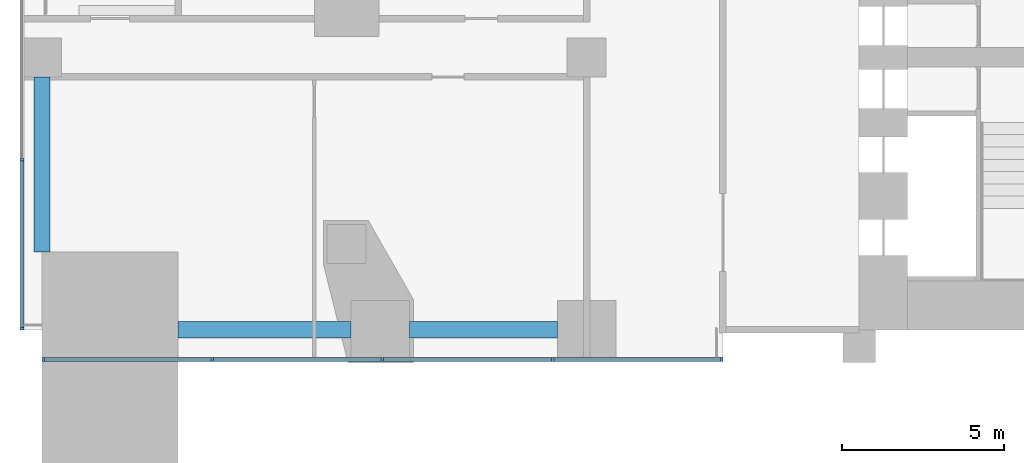
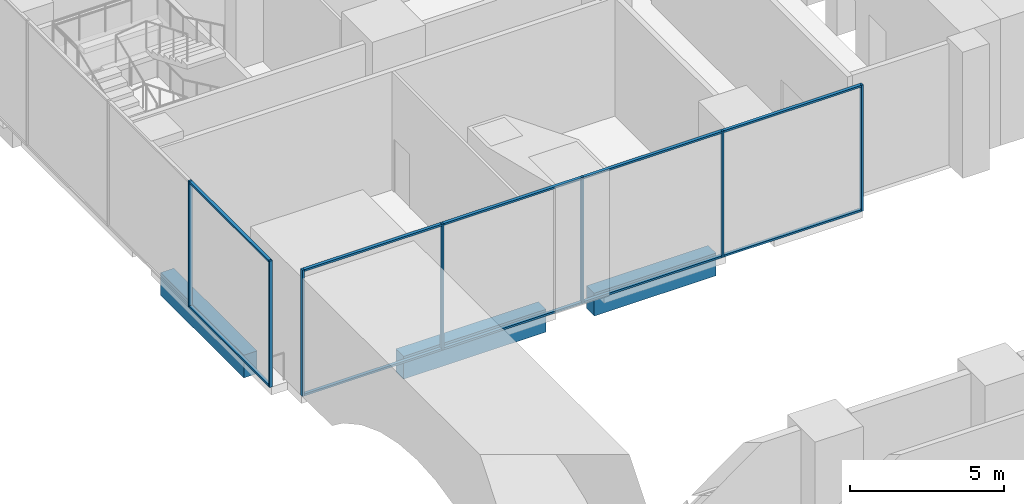
# One storey, part 3 of 28: 17 members, 3 beams, 2 elements without a shape of their own.
"""IFC4 building model written with IfcOpenShell, lengths in metres."""

import ifcopenshell
import ifcopenshell.guid

model = None  # the IFC model being written
_history = None  # IfcOwnerHistory: only IFC2X3 demands one
_inside = {}  # id of a spatial element -> (the spatial element, [elements in it])
_under = {}  # id of a project, library or spatial element -> (it, [spatial elements below it])
_declared = {}  # id of a project -> (the project, [libraries it declares])
_typed = {}  # id of a type object -> (the type object, [elements of that type])
_made_of = {}  # id of a material, layer set ... -> (it, [elements and type objects made of it])


def new_model(schema):
    """Start an empty IFC model of exactly this schema.

    Asked for "IFC4X3", IfcOpenShell would pick the latest addendum, in which some entities
    have other attributes; the version numbers below select the first issue.
    IFC2X3 requires an IfcOwnerHistory on every rooted entity: one is made here for all.
    """
    global model, _history
    if schema == "IFC4X3":
        model = ifcopenshell.file(schema_version=(4, 3, 0, 0))
    else:
        model = ifcopenshell.file(schema=schema)
    _inside.clear()
    _under.clear()
    _declared.clear()
    _typed.clear()
    _made_of.clear()
    _history = None
    if model.schema == "IFC2X3":
        org = make("IfcOrganization", Name="unknown")
        user = make(
            "IfcPersonAndOrganization",
            ThePerson=make("IfcPerson", FamilyName="unknown"),
            TheOrganization=org,
        )
        app = make(
            "IfcApplication",
            ApplicationDeveloper=org,
            Version="unknown",
            ApplicationFullName="unknown",
            ApplicationIdentifier="unknown",
        )
        _history = make(
            "IfcOwnerHistory",
            OwningUser=user,
            OwningApplication=app,
            ChangeAction="ADDED",
            CreationDate=0,
        )
    return model


def make(cls, **values):
    """One entity of the class cls with the attributes given. An attribute that is None is left unset."""
    return model.create_entity(
        cls, **{name: value for name, value in values.items() if value is not None}
    )


def rooted(cls, **values):
    """An entity with a GlobalId (a new one), such as an element, a storey or a relation."""
    return make(cls, GlobalId=ifcopenshell.guid.new(), OwnerHistory=_history, **values)


def si_unit(unit_type, name, prefix=None):
    """IfcSIUnit, for example si_unit("LENGTHUNIT", "METRE", prefix="MILLI")."""
    return make("IfcSIUnit", UnitType=unit_type, Prefix=prefix, Name=name)


def assignment(units):
    """IfcUnitAssignment: the units of a project."""
    return None if units is None else make("IfcUnitAssignment", Units=units)


def point(xyz):
    """IfcCartesianPoint."""
    return None if xyz is None else make("IfcCartesianPoint", Coordinates=xyz)


def direction(xyz):
    """IfcDirection."""
    return None if xyz is None else make("IfcDirection", DirectionRatios=xyz)


def frame(location, z_axis=None, x_axis=None):
    """IfcAxis2Placement3D, a coordinate frame: its origin and axes. An axis left out is left unset."""
    return make(
        "IfcAxis2Placement3D",
        Location=point(location),
        Axis=direction(z_axis),
        RefDirection=direction(x_axis),
    )


def frame_2d(location, x_axis=None):
    """IfcAxis2Placement2D, a coordinate frame in the plane: its origin and x axis."""
    return make(
        "IfcAxis2Placement2D", Location=point(location), RefDirection=direction(x_axis)
    )


def origin():
    """The frame at (0, 0, 0) with its axes left unset."""
    return frame((0.0, 0.0, 0.0))


def origin_2d():
    """The frame at (0, 0) in the plane with its x axis left unset."""
    return frame_2d((0.0, 0.0))


def place(relative_to, where):
    """IfcLocalPlacement: puts the frame where relative to a parent placement (None: the world)."""
    return make(
        "IfcLocalPlacement", PlacementRelTo=relative_to, RelativePlacement=where
    )


def context(
    kind, dimensions, precision=None, world=None, true_north=None, identifier=None
):
    """IfcGeometricRepresentationContext, for example the 3D "Model" context."""
    return make(
        "IfcGeometricRepresentationContext",
        ContextIdentifier=identifier,
        ContextType=kind,
        CoordinateSpaceDimension=dimensions,
        Precision=precision,
        WorldCoordinateSystem=world,
        TrueNorth=true_north,
    )


def subcontext(parent, identifier, kind, view, scale=None):
    """IfcGeometricRepresentationSubContext, for example "Body" below "Model"."""
    return make(
        "IfcGeometricRepresentationSubContext",
        ContextIdentifier=identifier,
        ContextType=kind,
        ParentContext=parent,
        TargetScale=scale,
        TargetView=view,
    )


def project(units=None, contexts=None):
    """IfcProject with its units and contexts."""
    return rooted(
        "IfcProject",
        Name="project",
        RepresentationContexts=contexts,
        UnitsInContext=assignment(units),
    )


def spatial(cls, under=None, at=None, **own):
    """A site, building, storey or space (cls), placed at a placement, below another one or the project."""
    s = rooted(cls, ObjectPlacement=at, **own)
    if under is not None:
        _under.setdefault(under.id(), (under, []))[1].append(s)
    return s


def profile(cls, at=None, kind="AREA", **sizes):
    """A parametric profile (cls). Its sizes go by their IFC names, for example OverallWidth=200.0."""
    return make(cls, ProfileType=kind, Position=at, **sizes)


def rectangle(**sizes):
    """IfcRectangleProfileDef."""
    return profile("IfcRectangleProfileDef", **sizes)


def extrude(swept, where, along, depth):
    """IfcExtrudedAreaSolid: the profile swept, set in the frame where, extruded along a direction by depth."""
    return make(
        "IfcExtrudedAreaSolid",
        SweptArea=swept,
        Position=where,
        ExtrudedDirection=direction(along),
        Depth=depth,
    )


def shape(context_of_items, identifier, shape_type, items):
    """IfcShapeRepresentation: the items that make up one representation, for example the "Body"."""
    return make(
        "IfcShapeRepresentation",
        ContextOfItems=context_of_items,
        RepresentationIdentifier=identifier,
        RepresentationType=shape_type,
        Items=items,
    )


def material(Name=None, Category=None):
    """IfcMaterial."""
    return make("IfcMaterial", Name=Name, Category=Category)


def layer(
    of_material, thickness, ventilated=None, Name=None, Category=None, Priority=None
):
    """IfcMaterialLayer: one layer of a wall or slab, of a material (None: an air gap)."""
    return make(
        "IfcMaterialLayer",
        Material=of_material,
        LayerThickness=thickness,
        IsVentilated=ventilated,
        Name=Name,
        Category=Category,
        Priority=Priority,
    )


def layer_set(layers, Name=None):
    """IfcMaterialLayerSet."""
    return make("IfcMaterialLayerSet", MaterialLayers=layers, LayerSetName=Name)


def material_profile(
    of_material, cross_section, Name=None, Category=None, Priority=None
):
    """IfcMaterialProfile: a cross section and its material."""
    return make(
        "IfcMaterialProfile",
        Name=Name,
        Material=of_material,
        Profile=cross_section,
        Priority=Priority,
        Category=Category,
    )


def profile_set(profiles, Name=None, composite=None):
    """IfcMaterialProfileSet."""
    return make(
        "IfcMaterialProfileSet",
        Name=Name,
        MaterialProfiles=profiles,
        CompositeProfile=composite,
    )


def made_of(thing, what):
    """Note that an element or type object is made of a material, layer set ...; save() writes the relation."""
    if what is not None:
        _made_of.setdefault(what.id(), (what, []))[1].append(thing)
    return thing


def type_object(cls, material=None, **own):
    """A type object (cls), such as IfcWallType, which elements share."""
    return made_of(rooted(cls, **own), material)


def element(
    cls,
    number,
    at=None,
    inside=None,
    cuts=None,
    type_object=None,
    material=None,
    context=None,
    identifier="Body",
    shape_type=None,
    held_by="IfcProductDefinitionShape",
    body=None,
    shapes=None,
    **own,
):
    """One element of the class cls, such as IfcWall. Its Tag is "e" and its number.

    at: its placement. inside: the storey or other place that contains it. cuts: it is an
    opening in that element (IfcRelVoidsElement). A single representation is given by context,
    identifier, shape_type and body (its items); several are given by shapes. held_by: the class
    of the entity that holds the representations. save() writes the other relations.
    """
    e = rooted(cls, Tag="e%d" % number, ObjectPlacement=at, **own)
    if body is not None:
        shapes = [shape(context, identifier, shape_type, body)]
    if shapes is not None:
        e.Representation = make(held_by, Representations=shapes)
    if inside is not None:
        _inside.setdefault(inside.id(), (inside, []))[1].append(e)
    if cuts is not None:
        rooted(
            "IfcRelVoidsElement", RelatingBuildingElement=cuts, RelatedOpeningElement=e
        )
    if type_object is not None:
        _typed.setdefault(type_object.id(), (type_object, []))[1].append(e)
    return made_of(e, material)


def aggregate(whole, parts):
    """IfcRelAggregates: a whole, such as a stair, and the parts it consists of."""
    return rooted("IfcRelAggregates", RelatingObject=whole, RelatedObjects=parts)


def save(model, path):
    """Write the relations noted so far, then the file.

    IfcRelAggregates (storeys below a building ...), IfcRelContainedInSpatialStructure (elements
    in a storey), IfcRelDefinesByType, IfcRelAssociatesMaterial and IfcRelDeclares: one each for
    every whole, place, type object, material and project.
    """
    for whole, parts in _under.values():
        aggregate(whole, parts)
    for where, things in _inside.values():
        rooted(
            "IfcRelContainedInSpatialStructure",
            RelatedElements=things,
            RelatingStructure=where,
        )
    for kind, things in _typed.values():
        rooted("IfcRelDefinesByType", RelatedObjects=things, RelatingType=kind)
    for what, things in _made_of.values():
        rooted("IfcRelAssociatesMaterial", RelatedObjects=things, RelatingMaterial=what)
    for by, libraries in _declared.values():
        rooted("IfcRelDeclares", RelatingContext=by, RelatedDefinitions=libraries)
    model.write(path)


model = new_model("IFC4")

# Units and contexts
model_context = context("Model", 3, precision=1e-05, world=origin(), true_north=direction((0.0, 1.0)))
body_context = subcontext(model_context, "Body", "Model", "MODEL_VIEW")
ifc_project = project(units=[si_unit("LENGTHUNIT", "METRE"), si_unit("AREAUNIT", "SQUARE_METRE"), si_unit("VOLUMEUNIT", "CUBIC_METRE"), si_unit("PLANEANGLEUNIT", "RADIAN"), si_unit("MASSUNIT", "GRAM", prefix="KILO")], contexts=[model_context])

# Site, building, storey
site_placement = place(None, origin())
site = spatial("IfcSite", under=ifc_project, at=site_placement, CompositionType="ELEMENT")
building_placement = place(site_placement, origin())
building = spatial("IfcBuilding", under=site, at=building_placement, Name="Marenta Gate Hotel Tower", CompositionType="ELEMENT")
storey_placement = place(building_placement, frame((0.0, 0.0, 26.0)))
storey = spatial("IfcBuildingStorey", under=building, at=storey_placement, Name="L04", CompositionType="ELEMENT", Elevation=26.0)

# Curtain wall, members
ifc_material_1 = material(Name="Tinted insulated glass in bronze anodised frame", Category="glass")
ifc_layer = layer(ifc_material_1, 0.1201171875)
ifc_layer_set = layer_set([ifc_layer], Name="Tinted insulated glass in bronze anodised frame")
curtain_wall_type = type_object("IfcCurtainWallType", Name="Wellness glazing CW7", PredefinedType="NOTDEFINED", material=ifc_layer_set)
curtain_wall_1_placement = place(storey_placement, origin())
curtain_wall_1 = element("IfcCurtainWall", 1, at=curtain_wall_1_placement, inside=storey, type_object=curtain_wall_type, Name="CW7 run NB-S000", PredefinedType="NOTDEFINED")
ifc_material_2 = material(Name="Bronze anodised aluminium", Category="aluminium")
ifc_material_profile_1 = material_profile(ifc_material_2, rectangle(XDim=0.1201171875, YDim=0.074951171875, at=origin_2d()), Name="Mullion CW7 75x120 bronze anodised aluminium")
ifc_profile_set_1 = profile_set([ifc_material_profile_1], Name="Bronze anodised aluminium")
member_type_1 = type_object("IfcMemberType", Name="Mullion CW7 75x120 bronze anodised aluminium", PredefinedType="MULLION", material=ifc_profile_set_1)
member_1_placement = place(storey_placement, frame((-37.762451171875, -0.9140625, 0.0), z_axis=(0.0, 0.0, 1.0), x_axis=(0.0, 1.0, 0.0)))
member_1 = element("IfcMember", 2, at=member_1_placement, type_object=member_type_1, Name="CW7 mullion 1", PredefinedType="MULLION", context=body_context, shape_type="SweptSolid", body=[
    extrude(rectangle(XDim=0.1201171875, YDim=0.074951171875, at=origin_2d()), origin(), (0.0, 0.0, 1.0), 5.0),
])
member_2_placement = place(storey_placement, frame((-32.550048828125, -0.9140625, 0.0), z_axis=(0.0, 0.0, 1.0), x_axis=(0.0, 1.0, 0.0)))
member_2 = element("IfcMember", 3, at=member_2_placement, type_object=member_type_1, Name="CW7 mullion 2", PredefinedType="MULLION", context=body_context, shape_type="SweptSolid", body=[
    extrude(rectangle(XDim=0.1201171875, YDim=0.074951171875, at=origin_2d()), origin(), (0.0, 0.0, 1.0), 5.0),
])
member_3_placement = place(storey_placement, frame((-27.300048828125, -0.9140625, 0.0), z_axis=(0.0, 0.0, 1.0), x_axis=(0.0, 1.0, 0.0)))
member_3 = element("IfcMember", 4, at=member_3_placement, type_object=member_type_1, Name="CW7 mullion 3", PredefinedType="MULLION", context=body_context, shape_type="SweptSolid", body=[
    extrude(rectangle(XDim=0.1201171875, YDim=0.074951171875, at=origin_2d()), origin(), (0.0, 0.0, 1.0), 5.0),
])
member_4_placement = place(storey_placement, frame((-22.050048828125, -0.9140625, 0.0), z_axis=(0.0, 0.0, 1.0), x_axis=(0.0, 1.0, 0.0)))
member_4 = element("IfcMember", 5, at=member_4_placement, type_object=member_type_1, Name="CW7 mullion 4", PredefinedType="MULLION", context=body_context, shape_type="SweptSolid", body=[
    extrude(rectangle(XDim=0.1201171875, YDim=0.074951171875, at=origin_2d()), origin(), (0.0, 0.0, 1.0), 5.0),
])
member_5_placement = place(storey_placement, frame((-16.83740234375, -0.9140625, 0.0), z_axis=(0.0, 0.0, 1.0), x_axis=(0.0, 1.0, 0.0)))
member_5 = element("IfcMember", 6, at=member_5_placement, type_object=member_type_1, Name="CW7 mullion 5", PredefinedType="MULLION", context=body_context, shape_type="SweptSolid", body=[
    extrude(rectangle(XDim=0.1201171875, YDim=0.074951171875, at=origin_2d()), origin(), (0.0, 0.0, 1.0), 5.0),
])

curtain_wall_2_placement = place(storey_placement, origin())
curtain_wall_2 = element("IfcCurtainWall", 7, at=curtain_wall_2_placement, inside=storey, type_object=curtain_wall_type, Name="CW7 run NB-W000", PredefinedType="NOTDEFINED")
member_6_placement = place(storey_placement, frame((-38.4140625, 5.25, 0.0), z_axis=(0.0, 0.0, 1.0), x_axis=(1.0, 0.0, 0.0)))
member_6 = element("IfcMember", 8, at=member_6_placement, type_object=member_type_1, Name="CW7 mullion 8", PredefinedType="MULLION", context=body_context, shape_type="SweptSolid", body=[
    extrude(rectangle(XDim=0.1201171875, YDim=0.074951171875, at=origin_2d()), origin(), (0.0, 0.0, 1.0), 5.0),
])
member_7_placement = place(storey_placement, frame((-38.4140625, 0.03759765625, 0.0), z_axis=(0.0, 0.0, 1.0), x_axis=(1.0, 0.0, 0.0)))
member_7 = element("IfcMember", 9, at=member_7_placement, type_object=member_type_1, Name="CW7 mullion 9", PredefinedType="MULLION", context=body_context, shape_type="SweptSolid", body=[
    extrude(rectangle(XDim=0.1201171875, YDim=0.074951171875, at=origin_2d()), origin(), (0.0, 0.0, 1.0), 5.0),
])

# Beams
ifc_material_3 = material(Name="Concrete C60", Category="concrete")
ifc_material_profile_2 = material_profile(ifc_material_3, rectangle(XDim=0.5, YDim=0.89990234375, at=origin_2d()), Name="500 x 900")
ifc_profile_set_2 = profile_set([ifc_material_profile_2], Name="Concrete C60")
beam_type = type_object("IfcBeamType", Name="Podium edge beam 500 x 900 C60", PredefinedType="BEAM", material=ifc_profile_set_2)
beam_1_placement = place(storey_placement, frame((-33.60009765625, 0.0, -0.77001953125), z_axis=(1.0, 0.0, 0.0), x_axis=(0.0, 1.0, 0.0)))
element("IfcBeam", 10, at=beam_1_placement, inside=storey, type_object=beam_type, Name="L04-PBM-153", PredefinedType="BEAM", context=body_context, shape_type="SweptSolid", body=[
    extrude(rectangle(XDim=0.5, YDim=0.89990234375, at=origin_2d()), origin(), (0.0, 0.0, 1.0), 5.337158203125),
])
beam_2_placement = place(storey_placement, frame((-26.462890625, 0.0, -0.77001953125), z_axis=(1.0, 0.0, 0.0), x_axis=(0.0, 1.0, 0.0)))
element("IfcBeam", 11, at=beam_2_placement, inside=storey, type_object=beam_type, Name="L04-PBM-154", PredefinedType="BEAM", context=body_context, shape_type="SweptSolid", body=[
    extrude(rectangle(XDim=0.5, YDim=0.89990234375, at=origin_2d()), origin(), (0.0, 0.0, 1.0), 4.56298828125),
])
beam_3_placement = place(storey_placement, frame((-37.800048828125, 7.800048828125, -0.77001953125), z_axis=(0.0, -1.0, 0.0), x_axis=(1.0, 0.0, 0.0)))
element("IfcBeam", 12, at=beam_3_placement, inside=storey, type_object=beam_type, Name="L04-PBM-174", PredefinedType="BEAM", context=body_context, shape_type="SweptSolid", body=[
    extrude(rectangle(XDim=0.5, YDim=0.89990234375, at=origin_2d()), origin(), (0.0, 0.0, 1.0), 5.400146484375),
])

# Member
ifc_material_4 = material(Name="Bronze anodised aluminium", Category="aluminium")
ifc_material_profile_3 = material_profile(ifc_material_4, rectangle(XDim=0.1201171875, YDim=0.074951171875, at=origin_2d()), Name="Transom CW7 75x120 bronze anodised aluminium")
ifc_profile_set_3 = profile_set([ifc_material_profile_3], Name="Bronze anodised aluminium")
member_type_2 = type_object("IfcMemberType", Name="Transom CW7 75x120 bronze anodised aluminium", PredefinedType="USERDEFINED", material=ifc_profile_set_3)
member_8_placement = place(storey_placement, frame((-37.72509765625, -0.9140625, 0.03759765625), z_axis=(1.0, 0.0, 0.0), x_axis=(0.0, 1.0, 0.0)))
member_8 = element("IfcMember", 13, at=member_8_placement, type_object=member_type_2, Name="CW7 transom 1.1", ObjectType="TRANSOM", PredefinedType="USERDEFINED", context=body_context, shape_type="SweptSolid", body=[
    extrude(rectangle(XDim=0.1201171875, YDim=0.074951171875, at=origin_2d()), origin(), (0.0, 0.0, 1.0), 5.1376953125),
])

member_9_placement = place(storey_placement, frame((-37.72509765625, -0.9140625, 4.96240234375), z_axis=(1.0, 0.0, 0.0), x_axis=(0.0, 1.0, 0.0)))
member_9 = element("IfcMember", 14, at=member_9_placement, type_object=member_type_2, Name="CW7 transom 1.2", ObjectType="TRANSOM", PredefinedType="USERDEFINED", context=body_context, shape_type="SweptSolid", body=[
    extrude(rectangle(XDim=0.1201171875, YDim=0.074951171875, at=origin_2d()), origin(), (0.0, 0.0, 1.0), 5.1376953125),
])

member_10_placement = place(storey_placement, frame((-32.512451171875, -0.9140625, 0.03759765625), z_axis=(1.0, 0.0, 0.0), x_axis=(0.0, 1.0, 0.0)))
member_10 = element("IfcMember", 15, at=member_10_placement, type_object=member_type_2, Name="CW7 transom 2.1", ObjectType="TRANSOM", PredefinedType="USERDEFINED", context=body_context, shape_type="SweptSolid", body=[
    extrude(rectangle(XDim=0.1201171875, YDim=0.074951171875, at=origin_2d()), origin(), (0.0, 0.0, 1.0), 5.175048828125),
])

member_11_placement = place(storey_placement, frame((-32.512451171875, -0.9140625, 4.96240234375), z_axis=(1.0, 0.0, 0.0), x_axis=(0.0, 1.0, 0.0)))
member_11 = element("IfcMember", 16, at=member_11_placement, type_object=member_type_2, Name="CW7 transom 2.2", ObjectType="TRANSOM", PredefinedType="USERDEFINED", context=body_context, shape_type="SweptSolid", body=[
    extrude(rectangle(XDim=0.1201171875, YDim=0.074951171875, at=origin_2d()), origin(), (0.0, 0.0, 1.0), 5.175048828125),
])

member_12_placement = place(storey_placement, frame((-27.262451171875, -0.9140625, 0.03759765625), z_axis=(1.0, 0.0, 0.0), x_axis=(0.0, 1.0, 0.0)))
member_12 = element("IfcMember", 17, at=member_12_placement, type_object=member_type_2, Name="CW7 transom 3.1", ObjectType="TRANSOM", PredefinedType="USERDEFINED", context=body_context, shape_type="SweptSolid", body=[
    extrude(rectangle(XDim=0.1201171875, YDim=0.074951171875, at=origin_2d()), origin(), (0.0, 0.0, 1.0), 5.175048828125),
])

member_13_placement = place(storey_placement, frame((-27.262451171875, -0.9140625, 4.96240234375), z_axis=(1.0, 0.0, 0.0), x_axis=(0.0, 1.0, 0.0)))
member_13 = element("IfcMember", 18, at=member_13_placement, type_object=member_type_2, Name="CW7 transom 3.2", ObjectType="TRANSOM", PredefinedType="USERDEFINED", context=body_context, shape_type="SweptSolid", body=[
    extrude(rectangle(XDim=0.1201171875, YDim=0.074951171875, at=origin_2d()), origin(), (0.0, 0.0, 1.0), 5.175048828125),
])

member_14_placement = place(storey_placement, frame((-22.012451171875, -0.9140625, 0.03759765625), z_axis=(1.0, 0.0, 0.0), x_axis=(0.0, 1.0, 0.0)))
member_14 = element("IfcMember", 19, at=member_14_placement, type_object=member_type_2, Name="CW7 transom 4.1", ObjectType="TRANSOM", PredefinedType="USERDEFINED", context=body_context, shape_type="SweptSolid", body=[
    extrude(rectangle(XDim=0.1201171875, YDim=0.074951171875, at=origin_2d()), origin(), (0.0, 0.0, 1.0), 5.137451171875),
])

member_15_placement = place(storey_placement, frame((-22.012451171875, -0.9140625, 4.96240234375), z_axis=(1.0, 0.0, 0.0), x_axis=(0.0, 1.0, 0.0)))
member_15 = element("IfcMember", 20, at=member_15_placement, type_object=member_type_2, Name="CW7 transom 4.2", ObjectType="TRANSOM", PredefinedType="USERDEFINED", context=body_context, shape_type="SweptSolid", body=[
    extrude(rectangle(XDim=0.1201171875, YDim=0.074951171875, at=origin_2d()), origin(), (0.0, 0.0, 1.0), 5.137451171875),
])

aggregate(curtain_wall_1, [member_1, member_2, member_3, member_4, member_5, member_8, member_9, member_10, member_11, member_12, member_13, member_14, member_15])

member_16_placement = place(storey_placement, frame((-38.4140625, 5.21240234375, 0.03759765625), z_axis=(0.0, -1.0, 0.0), x_axis=(1.0, 0.0, 0.0)))
member_16 = element("IfcMember", 21, at=member_16_placement, type_object=member_type_2, Name="CW7 transom 8.1", ObjectType="TRANSOM", PredefinedType="USERDEFINED", context=body_context, shape_type="SweptSolid", body=[
    extrude(rectangle(XDim=0.1201171875, YDim=0.074951171875, at=origin_2d()), origin(), (0.0, 0.0, 1.0), 5.137451171875),
])

member_17_placement = place(storey_placement, frame((-38.4140625, 5.21240234375, 4.96240234375), z_axis=(0.0, -1.0, 0.0), x_axis=(1.0, 0.0, 0.0)))
member_17 = element("IfcMember", 22, at=member_17_placement, type_object=member_type_2, Name="CW7 transom 8.2", ObjectType="TRANSOM", PredefinedType="USERDEFINED", context=body_context, shape_type="SweptSolid", body=[
    extrude(rectangle(XDim=0.1201171875, YDim=0.074951171875, at=origin_2d()), origin(), (0.0, 0.0, 1.0), 5.137451171875),
])

aggregate(curtain_wall_2, [member_6, member_7, member_16, member_17])

save(model, "model.ifc")
